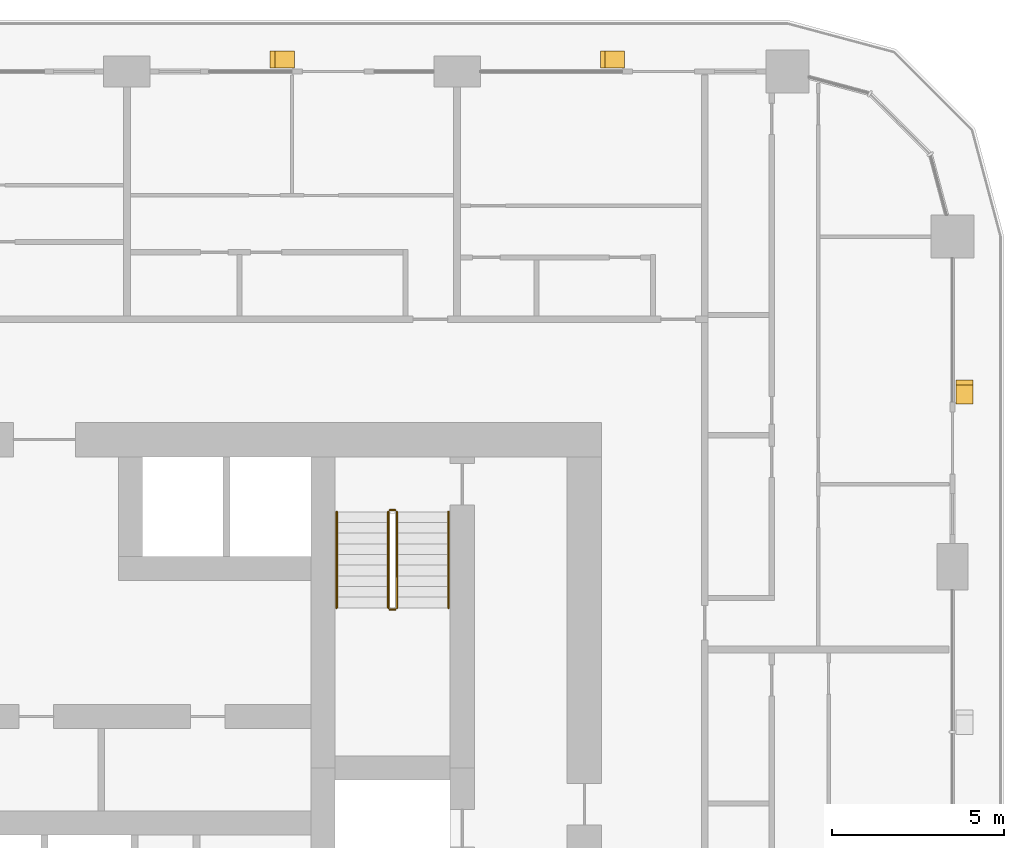
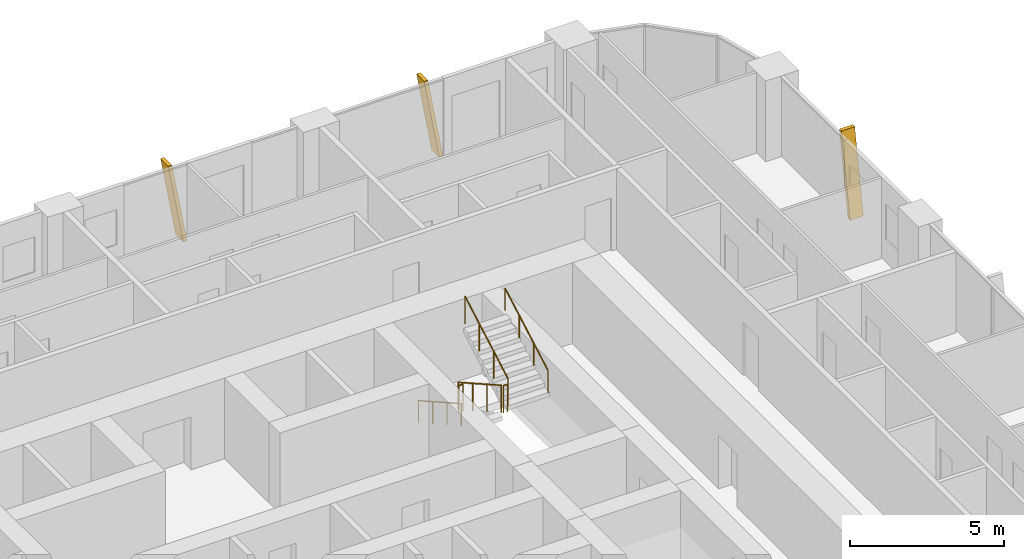
# One storey, part 21 of 21: 6 railings, 3 shading devices.
"""IFC4 building model written with IfcOpenShell, lengths in metres."""

from ifc_helpers import new_model, si_unit, direction, frame, origin, origin_2d, place, context, subcontext, project, spatial, polyline, circle, outline, extrude, material, type_object, element, save


model = new_model("IFC4")

# Units and contexts
model_context = context("Model", 3, precision=1e-05, world=origin(), true_north=direction((0.0, 1.0)))
body_context = subcontext(model_context, "Body", "Model", "MODEL_VIEW")
ifc_project = project(units=[si_unit("LENGTHUNIT", "METRE"), si_unit("AREAUNIT", "SQUARE_METRE"), si_unit("VOLUMEUNIT", "CUBIC_METRE"), si_unit("PLANEANGLEUNIT", "RADIAN"), si_unit("MASSUNIT", "GRAM", prefix="KILO")], contexts=[model_context])

# Site, building, storey
site_placement = place(None, origin())
site = spatial("IfcSite", under=ifc_project, at=site_placement, CompositionType="ELEMENT")
building_placement = place(site_placement, origin())
building = spatial("IfcBuilding", under=site, at=building_placement, Name="Madar Terraces", CompositionType="ELEMENT")
storey_placement = place(building_placement, frame((0.0, 0.0, 32.89990234375)))
storey = spatial("IfcBuildingStorey", under=building, at=storey_placement, Name="L07", CompositionType="ELEMENT", Elevation=32.89990234375)

# Shading devices
ifc_material_1 = material(Name="Aluminium, black anodised", Category="aluminium")
shading_device_type = type_object("IfcShadingDeviceType", Name="Facade fin blade 140 x 500", PredefinedType="USERDEFINED", material=ifc_material_1)
shading_device_1_placement = place(storey_placement, frame((57.949951171875, 38.330078125, 0.0), z_axis=(0.0, 0.0, 1.0), x_axis=(0.0, 1.0, 0.0)))
element("IfcShadingDevice", 1, at=shading_device_1_placement, inside=storey, type_object=shading_device_type, Name="FIN L07 E4", ObjectType="FIN", PredefinedType="USERDEFINED", context=body_context, shape_type="SweptSolid", body=[
    extrude(outline(polyline([(0.0, 0.0), (0.139892578125, 0.0), (0.704345703125, 3.2001953125), (0.564208984375, 3.2001953125), (0.0, 0.0)])), frame((0.0, 0.25, 0.0), z_axis=(0.0, -1.0, 0.0), x_axis=(1.0, 0.0, 0.0)), (0.0, 0.0, 1.0), 0.5),
])
shading_device_2_placement = place(storey_placement, frame((48.070068359375, 48.35009765625, 0.0), z_axis=(0.0, 0.0, 1.0), x_axis=(-1.0, 0.0, 0.0)))
element("IfcShadingDevice", 2, at=shading_device_2_placement, inside=storey, type_object=shading_device_type, Name="FIN L07 N1", ObjectType="FIN", PredefinedType="USERDEFINED", context=body_context, shape_type="SweptSolid", body=[
    extrude(outline(polyline([(0.0, 0.0), (0.14013671875, 0.0), (0.704345703125, 3.2001953125), (0.564208984375, 3.2001953125), (0.0, 0.0)])), frame((0.0, 0.25, 0.0), z_axis=(0.0, -1.0, 0.0), x_axis=(1.0, 0.0, 0.0)), (0.0, 0.0, 1.0), 0.5),
])
shading_device_3_placement = place(storey_placement, frame((38.469970703125, 48.35009765625, 0.0), z_axis=(0.0, 0.0, 1.0), x_axis=(-1.0, 0.0, 0.0)))
element("IfcShadingDevice", 3, at=shading_device_3_placement, inside=storey, type_object=shading_device_type, Name="FIN L07 N2", ObjectType="FIN", PredefinedType="USERDEFINED", context=body_context, shape_type="SweptSolid", body=[
    extrude(outline(polyline([(0.0, 0.0), (0.139892578125, 0.0), (0.704345703125, 3.2001953125), (0.564208984375, 3.2001953125), (0.0, 0.0)])), frame((0.0, 0.25, 0.0), z_axis=(0.0, -1.0, 0.0), x_axis=(1.0, 0.0, 0.0)), (0.0, 0.0, 1.0), 0.5),
])

# Railings
ifc_material_2 = material(Name="Stainless steel railing", Category="steel")
railing_type_1 = type_object("IfcRailingType", Name="Stair guard 1100", PredefinedType="GUARDRAIL", material=ifc_material_2)
railing_1_placement = place(storey_placement, frame((41.199951171875, 35.199951171875, 0.175048828125)))
element("IfcRailing", 4, at=railing_1_placement, inside=storey, type_object=railing_type_1, Name="L07 ST2 stair guard 1", PredefinedType="GUARDRAIL", context=body_context, shape_type="SweptSolid", body=[
    extrude(circle(Radius=0.02392578125, at=origin_2d()), frame((0.0, 0.0, 1.076171875), z_axis=(0.0, -0.870833779661, 0.491577591232), x_axis=(1.0, 0.0, 0.0)), (0.0, 0.0, 1.0), 3.203857421875),
    extrude(circle(Radius=0.02099609375, at=origin_2d()), origin(), (0.0, 0.0, 1.0), 1.052001953125),
    extrude(circle(Radius=0.02099609375, at=origin_2d()), frame((0.0, -0.929931640625, 0.52490234375)), (0.0, 0.0, 1.0), 1.052001953125),
    extrude(circle(Radius=0.02099609375, at=origin_2d()), frame((0.0, -1.860107421875, 1.050048828125)), (0.0, 0.0, 1.0), 1.052001953125),
    extrude(circle(Radius=0.02099609375, at=origin_2d()), frame((0.0, -2.7900390625, 1.574951171875)), (0.0, 0.0, 1.0), 1.052001953125),
])
railing_2_placement = place(storey_placement, frame((41.25, 32.360107421875, 1.75)))
element("IfcRailing", 5, at=railing_2_placement, inside=storey, type_object=railing_type_1, Name="L07 ST2 stair guard 2", PredefinedType="GUARDRAIL", context=body_context, shape_type="SweptSolid", body=[
    extrude(circle(Radius=0.02392578125, at=origin_2d()), frame((0.0, 0.0, 1.076171875), z_axis=(1.0, 0.0, 0.0), x_axis=(0.0, 1.0, 0.0)), (0.0, 0.0, 1.0), 0.14990234375),
    extrude(circle(Radius=0.02099609375, at=origin_2d()), origin(), (0.0, 0.0, 1.0), 1.052001953125),
    extrude(circle(Radius=0.02099609375, at=origin_2d()), frame((0.14990234375, 0.0, 0.0)), (0.0, 0.0, 1.0), 1.052001953125),
])
railing_3_placement = place(storey_placement, frame((41.449951171875, 32.409912109375, 1.925048828125)))
element("IfcRailing", 6, at=railing_3_placement, inside=storey, type_object=railing_type_1, Name="L07 ST2 stair guard 3", PredefinedType="GUARDRAIL", context=body_context, shape_type="SweptSolid", body=[
    extrude(circle(Radius=0.02392578125, at=origin_2d()), frame((0.0, 0.0, 1.076171875), z_axis=(0.0, 0.870833779661, 0.491577591232), x_axis=(-1.0, 0.0, 0.0)), (0.0, 0.0, 1.0), 3.203857421875),
    extrude(circle(Radius=0.02099609375, at=origin_2d()), origin(), (0.0, 0.0, 1.0), 1.052001953125),
    extrude(circle(Radius=0.02099609375, at=origin_2d()), frame((0.0, 0.929931640625, 0.52490234375)), (0.0, 0.0, 1.0), 1.052001953125),
    extrude(circle(Radius=0.02099609375, at=origin_2d()), frame((0.0, 1.860107421875, 1.050048828125)), (0.0, 0.0, 1.0), 1.052001953125),
    extrude(circle(Radius=0.02099609375, at=origin_2d()), frame((0.0, 2.7900390625, 1.574951171875)), (0.0, 0.0, 1.0), 1.052001953125),
])
railing_4_placement = place(storey_placement, frame((41.25, 35.25, 0.0)))
element("IfcRailing", 7, at=railing_4_placement, inside=storey, type_object=railing_type_1, Name="L07 ST2 stair guard 4", PredefinedType="GUARDRAIL", context=body_context, shape_type="SweptSolid", body=[
    extrude(circle(Radius=0.02392578125, at=origin_2d()), frame((0.0, 0.0, 1.076171875), z_axis=(1.0, 0.0, 0.0), x_axis=(0.0, 1.0, 0.0)), (0.0, 0.0, 1.0), 0.14990234375),
    extrude(circle(Radius=0.02099609375, at=origin_2d()), origin(), (0.0, 0.0, 1.0), 1.052001953125),
    extrude(circle(Radius=0.02099609375, at=origin_2d()), frame((0.14990234375, 0.0, 0.0)), (0.0, 0.0, 1.0), 1.052001953125),
])
ifc_material_3 = material(Name="Stainless steel railing", Category="steel")
railing_type_2 = type_object("IfcRailingType", Name="Stair handrail 900", PredefinedType="HANDRAIL", material=ifc_material_3)
railing_5_placement = place(storey_placement, frame((39.699951171875, 35.199951171875, 0.175048828125)))
element("IfcRailing", 8, at=railing_5_placement, inside=storey, type_object=railing_type_2, Name="L07 ST2 stair handrail 1", PredefinedType="HANDRAIL", context=body_context, shape_type="SweptSolid", body=[
    extrude(circle(Radius=0.02392578125, at=origin_2d()), frame((0.0, 0.0, 0.8759765625), z_axis=(0.0, -0.870833779661, 0.491577591232), x_axis=(1.0, 0.0, 0.0)), (0.0, 0.0, 1.0), 3.203857421875),
    extrude(circle(Radius=0.02099609375, at=origin_2d()), origin(), (0.0, 0.0, 1.0), 0.851806640625),
    extrude(circle(Radius=0.02099609375, at=origin_2d()), frame((0.0, -0.929931640625, 0.52490234375)), (0.0, 0.0, 1.0), 0.851806640625),
    extrude(circle(Radius=0.02099609375, at=origin_2d()), frame((0.0, -1.860107421875, 1.050048828125)), (0.0, 0.0, 1.0), 0.851806640625),
    extrude(circle(Radius=0.02099609375, at=origin_2d()), frame((0.0, -2.7900390625, 1.574951171875)), (0.0, 0.0, 1.0), 0.851806640625),
])
railing_6_placement = place(storey_placement, frame((42.949951171875, 32.409912109375, 1.925048828125)))
element("IfcRailing", 9, at=railing_6_placement, inside=storey, type_object=railing_type_2, Name="L07 ST2 stair handrail 2", PredefinedType="HANDRAIL", context=body_context, shape_type="SweptSolid", body=[
    extrude(circle(Radius=0.02392578125, at=origin_2d()), frame((0.0, 0.0, 0.8759765625), z_axis=(0.0, 0.870833779661, 0.491577591232), x_axis=(-1.0, 0.0, 0.0)), (0.0, 0.0, 1.0), 3.203857421875),
    extrude(circle(Radius=0.02099609375, at=origin_2d()), origin(), (0.0, 0.0, 1.0), 0.851806640625),
    extrude(circle(Radius=0.02099609375, at=origin_2d()), frame((0.0, 0.929931640625, 0.52490234375)), (0.0, 0.0, 1.0), 0.851806640625),
    extrude(circle(Radius=0.02099609375, at=origin_2d()), frame((0.0, 1.860107421875, 1.050048828125)), (0.0, 0.0, 1.0), 0.851806640625),
    extrude(circle(Radius=0.02099609375, at=origin_2d()), frame((0.0, 2.7900390625, 1.574951171875)), (0.0, 0.0, 1.0), 0.851806640625),
])

save(model, "model.ifc")
